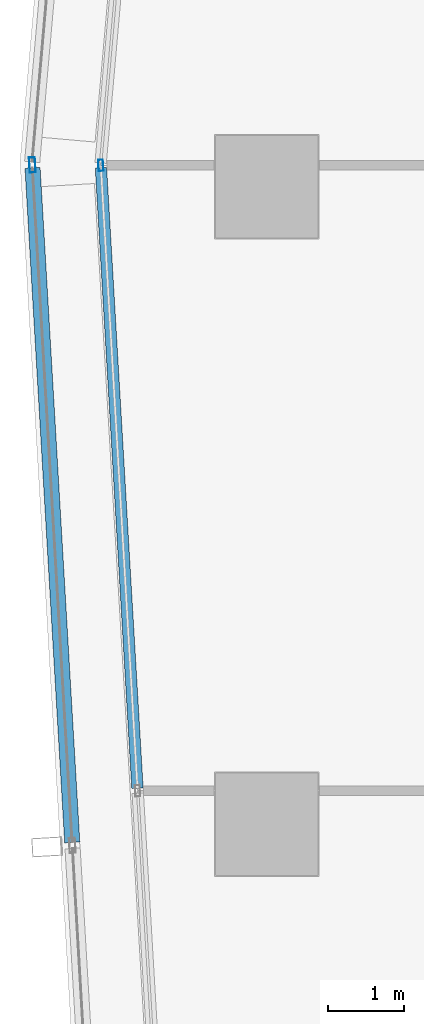
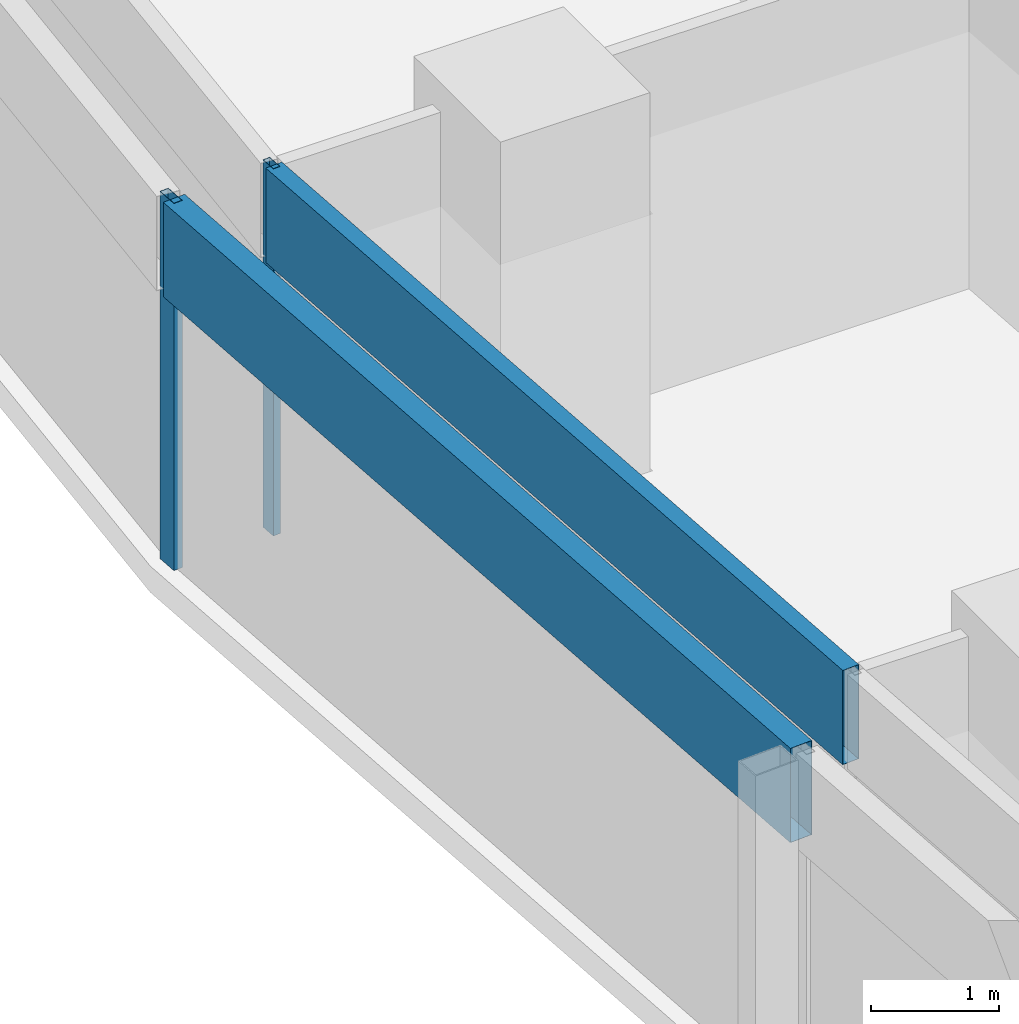
# One storey, part 9 of 39: 4 members, 2 elements without a shape of their own.
"""IFC4 building model written with IfcOpenShell, lengths in metres."""

from ifc_helpers import new_model, si_unit, direction, frame, origin, origin_2d, place, context, subcontext, project, spatial, hollow_rectangle, extrude, material, material_profile, profile_set, type_object, element, aggregate, save


model = new_model("IFC4")

# Units and contexts
model_context = context("Model", 3, precision=1e-05, world=origin(), true_north=direction((0.0, 1.0)))
body_context = subcontext(model_context, "Body", "Model", "MODEL_VIEW")
ifc_project = project(units=[si_unit("LENGTHUNIT", "METRE"), si_unit("AREAUNIT", "SQUARE_METRE"), si_unit("VOLUMEUNIT", "CUBIC_METRE"), si_unit("PLANEANGLEUNIT", "RADIAN"), si_unit("MASSUNIT", "GRAM", prefix="KILO")], contexts=[model_context])

# Site, building, storey
site_placement = place(None, origin())
site = spatial("IfcSite", under=ifc_project, at=site_placement, CompositionType="ELEMENT")
building_placement = place(site_placement, origin())
building = spatial("IfcBuilding", under=site, at=building_placement, Name="Rekha Terrace Tower", CompositionType="ELEMENT")
storey_placement = place(building_placement, frame((0.0, 0.0, 217.699951171875)))
storey = spatial("IfcBuildingStorey", under=building, at=storey_placement, Name="L55", CompositionType="ELEMENT", Elevation=217.699951171875)

# Curtain wall, members
ifc_material_1 = material(Name="Aluminium framing", Category="aluminium")
curtain_wall_type_1 = type_object("IfcCurtainWallType", Name="CW1 double skin inner glazing", PredefinedType="USERDEFINED", material=ifc_material_1)
curtain_wall_1_placement = place(storey_placement, origin())
curtain_wall_1 = element("IfcCurtainWall", 1, at=curtain_wall_1_placement, inside=storey, type_object=curtain_wall_type_1, Name="CW1 double skin inner glazing", ObjectType="DOUBLE SKIN INNER GLAZING", PredefinedType="USERDEFINED")
ifc_material_2 = material(Name="Aluminium mullion section", Category="aluminium")
ifc_material_profile_1 = material_profile(ifc_material_2, hollow_rectangle(XDim=0.06494140625, YDim=0.14990234375, WallThickness=0.00390625, at=origin_2d()), Name="AL RHS 65x150")
ifc_profile_set_1 = profile_set([ifc_material_profile_1], Name="Aluminium mullion section")
member_type_1 = type_object("IfcMemberType", Name="CW1 mullion RHS 65 x 150", PredefinedType="MULLION", material=ifc_profile_set_1)
member_1_placement = place(storey_placement, frame((6.214599609375, 42.281982421875, 0.0), z_axis=(0.0, 0.0, 1.0), x_axis=(0.998271839269, 0.058765082516, 0.0)))
member_1 = element("IfcMember", 2, at=member_1_placement, type_object=member_type_1, Name="CW1 mullion 1", PredefinedType="MULLION", context=body_context, shape_type="SweptSolid", body=[
    extrude(hollow_rectangle(XDim=0.06494140625, YDim=0.14990234375, WallThickness=0.00390625, at=origin_2d()), origin(), (0.0, 0.0, 1.0), 3.5),
])
ifc_material_3 = material(Name="Insulated aluminium spandrel box", Category="aluminium")
ifc_material_profile_2 = material_profile(ifc_material_3, hollow_rectangle(XDim=0.14990234375, YDim=0.89990234375, WallThickness=0.0029296875, at=origin_2d()), Name="AL SPANDREL BOX 150x900")
ifc_profile_set_2 = profile_set([ifc_material_profile_2], Name="Insulated aluminium spandrel box")
member_type_2 = type_object("IfcMemberType", Name="CW1 spandrel transom 150 x 900", PredefinedType="USERDEFINED", material=ifc_profile_set_2)
member_2_placement = place(storey_placement, frame((6.216552734375, 42.24951171875, 3.050048828125), z_axis=(0.058777934282, -0.998271082643, 0.0), x_axis=(0.998271082643, 0.058777934282, 0.0)))
member_2 = element("IfcMember", 3, at=member_2_placement, type_object=member_type_2, Name="CW1 spandrel transom 1", ObjectType="TRANSOM", PredefinedType="USERDEFINED", context=body_context, shape_type="SweptSolid", body=[
    extrude(hollow_rectangle(XDim=0.14990234375, YDim=0.89990234375, WallThickness=0.0029296875, at=origin_2d()), origin(), (0.0, 0.0, 1.0), 8.19091796875),
])
aggregate(curtain_wall_1, [member_1, member_2])

curtain_wall_type_2 = type_object("IfcCurtainWallType", Name="CW2 double skin outer glazing", PredefinedType="USERDEFINED", material=ifc_material_1)
curtain_wall_2_placement = place(storey_placement, origin())
curtain_wall_2 = element("IfcCurtainWall", 4, at=curtain_wall_2_placement, inside=storey, type_object=curtain_wall_type_2, Name="CW2 double skin outer glazing", ObjectType="DOUBLE SKIN OUTER GLAZING", PredefinedType="USERDEFINED")
ifc_material_profile_3 = material_profile(ifc_material_2, hollow_rectangle(XDim=0.080078125, YDim=0.199951171875, WallThickness=0.00390625, at=origin_2d()), Name="AL RHS 80x200")
ifc_profile_set_3 = profile_set([ifc_material_profile_3], Name="Aluminium mullion section")
member_type_3 = type_object("IfcMemberType", Name="CW2 mullion RHS 80 x 200", PredefinedType="MULLION", material=ifc_profile_set_3)
member_3_placement = place(storey_placement, frame((5.312744140625, 42.287841796875, 0.0), z_axis=(0.0, 0.0, 1.0), x_axis=(0.99827183927, 0.058765082499, 0.0)))
member_3 = element("IfcMember", 5, at=member_3_placement, type_object=member_type_3, Name="CW2 mullion 1", PredefinedType="MULLION", context=body_context, shape_type="SweptSolid", body=[
    extrude(hollow_rectangle(XDim=0.080078125, YDim=0.199951171875, WallThickness=0.00390625, at=origin_2d()), origin(), (0.0, 0.0, 1.0), 3.5),
])
ifc_material_profile_4 = material_profile(ifc_material_3, hollow_rectangle(XDim=0.199951171875, YDim=0.89990234375, WallThickness=0.0029296875, at=origin_2d()), Name="AL SPANDREL BOX 200x900")
ifc_profile_set_4 = profile_set([ifc_material_profile_4], Name="Insulated aluminium spandrel box")
member_type_4 = type_object("IfcMemberType", Name="CW2 spandrel transom 200 x 900", PredefinedType="USERDEFINED", material=ifc_profile_set_4)
member_4_placement = place(storey_placement, frame((5.315185546875, 42.247802734375, 3.050048828125), z_axis=(0.058762207171, -0.998272008527, 0.0), x_axis=(0.998272008527, 0.058762207171, 0.0)))
member_4 = element("IfcMember", 6, at=member_4_placement, type_object=member_type_4, Name="CW2 spandrel transom 1", ObjectType="TRANSOM", PredefinedType="USERDEFINED", context=body_context, shape_type="SweptSolid", body=[
    extrude(hollow_rectangle(XDim=0.199951171875, YDim=0.89990234375, WallThickness=0.0029296875, at=origin_2d()), origin(), (0.0, 0.0, 1.0), 8.903564453125),
])
aggregate(curtain_wall_2, [member_3, member_4])

save(model, "model.ifc")
